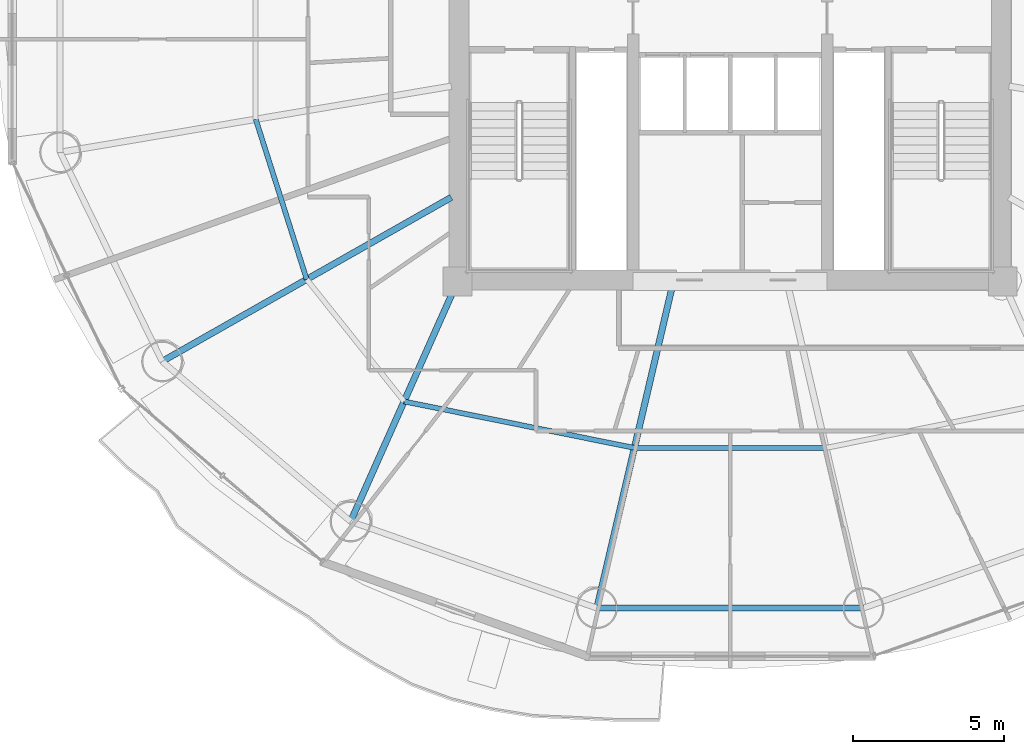
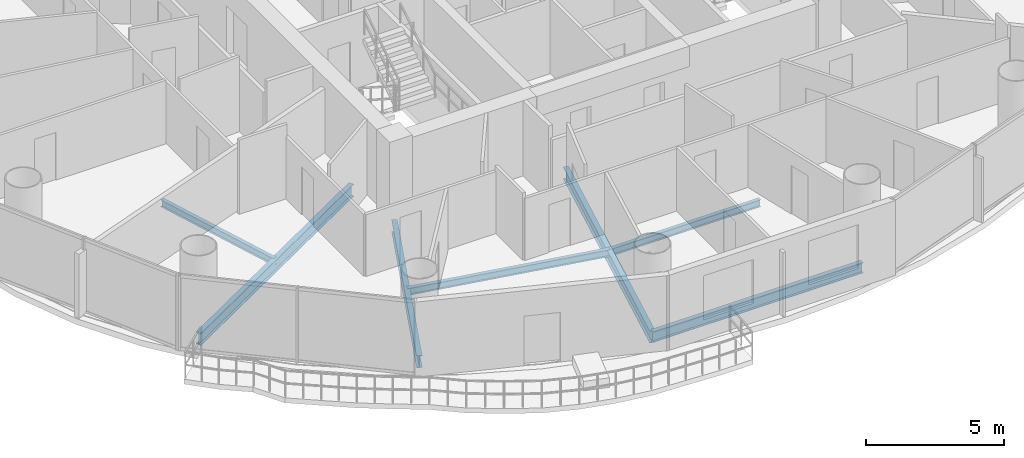
# One storey, part 4 of 27: 7 beams.
"""IFC4 building model written with IfcOpenShell, lengths in metres."""

from ifc_helpers import new_model, si_unit, direction, frame, origin, origin_2d, place, context, subcontext, project, spatial, i_section, extrude, material, material_profile, profile_set, type_object, element, save


model = new_model("IFC4")

# Units and contexts
model_context = context("Model", 3, precision=1e-05, world=origin(), true_north=direction((-0.2419218956, 0.970295726276)))
body_context = subcontext(model_context, "Body", "Model", "MODEL_VIEW")
ifc_project = project(units=[si_unit("LENGTHUNIT", "METRE"), si_unit("AREAUNIT", "SQUARE_METRE"), si_unit("VOLUMEUNIT", "CUBIC_METRE"), si_unit("PLANEANGLEUNIT", "RADIAN"), si_unit("MASSUNIT", "GRAM", prefix="KILO")], contexts=[model_context])

# Site, building, storey
site_placement = place(None, origin())
site = spatial("IfcSite", under=ifc_project, at=site_placement, CompositionType="ELEMENT")
building_placement = place(site_placement, origin())
building = spatial("IfcBuilding", under=site, at=building_placement, Name="Cobrevalo Terracotta Tower", CompositionType="ELEMENT")
storey_placement = place(building_placement, frame((0.0, 0.0, 146.199951171875)))
storey = spatial("IfcBuildingStorey", under=building, at=storey_placement, Name="L38", CompositionType="ELEMENT", Elevation=146.199951171875)

# Beams
ifc_material = material(Name="Steel S355", Category="steel")
ifc_material_profile_1 = material_profile(ifc_material, i_section(OverallWidth=0.2109375, OverallDepth=0.5390625, WebThickness=0.01171875, FlangeThickness=0.018798828125, at=origin_2d()), Name="W 530x109")
ifc_profile_set_1 = profile_set([ifc_material_profile_1], Name="Steel S355")
beam_type_1 = type_object("IfcBeamType", Name="Structural Beam W 530x109 (Steel S355)", PredefinedType="BEAM", material=ifc_profile_set_1)
beam_1_placement = place(storey_placement, frame((19.250244140625, 16.160888671875, -0.53955078125), z_axis=(0.869743726706, 0.493503647257, 0.0), x_axis=(-0.493503647257, 0.869743726706, 0.0)))
element("IfcBeam", 1, at=beam_1_placement, inside=storey, type_object=beam_type_1, Name="L38 radial floor girder 10", PredefinedType="BEAM", context=body_context, shape_type="SweptSolid", body=[
    extrude(i_section(OverallWidth=0.2109375, OverallDepth=0.5390625, WebThickness=0.01171875, FlangeThickness=0.018798828125, at=origin_2d()), origin(), (0.0, 0.0, 1.0), 10.97412109375),
])
beam_2_placement = place(storey_placement, frame((25.471923828125, 10.87744140625, -0.53955078125), z_axis=(0.406804395691, 0.913515289224, 0.0), x_axis=(-0.913515289224, 0.406804395691, 0.0)))
element("IfcBeam", 2, at=beam_2_placement, inside=storey, type_object=beam_type_1, Name="L38 radial floor girder 11", PredefinedType="BEAM", context=body_context, shape_type="SweptSolid", body=[
    extrude(i_section(OverallWidth=0.2109375, OverallDepth=0.5390625, WebThickness=0.01171875, FlangeThickness=0.018798828125, at=origin_2d()), origin(), (0.0, 0.0, 1.0), 8.672607421875),
])
beam_3_placement = place(storey_placement, frame((33.600830078125, 8.01806640625, -0.53955078125), z_axis=(0.228045854186, 0.973650393308, 0.0), x_axis=(-0.973650393308, 0.228045854186, 0.0)))
element("IfcBeam", 3, at=beam_3_placement, inside=storey, type_object=beam_type_1, Name="L38 radial floor girder 12", PredefinedType="BEAM", context=body_context, shape_type="SweptSolid", body=[
    extrude(i_section(OverallWidth=0.2109375, OverallDepth=0.5390625, WebThickness=0.01171875, FlangeThickness=0.018798828125, at=origin_2d()), origin(), (0.0, 0.0, 1.0), 10.863037109375),
])
ifc_material_profile_2 = material_profile(ifc_material, i_section(OverallWidth=0.1650390625, OverallDepth=0.31005859375, WebThickness=0.005859375, FlangeThickness=0.009765625, at=origin_2d()), Name="W 310x38.7")
ifc_profile_set_2 = profile_set([ifc_material_profile_2], Name="Steel S355")
beam_type_2 = type_object("IfcBeamType", Name="Structural Joist W 310x38.7 (Steel S355)", PredefinedType="JOIST", material=ifc_profile_set_2)
beam_4_placement = place(storey_placement, frame((22.339111328125, 24.154541015625, -0.425048828125), z_axis=(0.303497928386, -0.952832098255, 0.0), x_axis=(0.952832098255, 0.303497928386, 0.0)))
element("IfcBeam", 4, at=beam_4_placement, inside=storey, type_object=beam_type_2, Name="L38 circumferential secondary floor joist 09", PredefinedType="JOIST", context=body_context, shape_type="SweptSolid", body=[
    extrude(i_section(OverallWidth=0.1650390625, OverallDepth=0.31005859375, WebThickness=0.005859375, FlangeThickness=0.009765625, at=origin_2d()), origin(), (0.0, 0.0, 1.0), 5.54736328125),
])
beam_5_placement = place(storey_placement, frame((27.23583984375, 14.838623046875, -0.425048828125), z_axis=(0.980293928329, -0.197544461026, 0.0), x_axis=(0.197544461026, 0.980293928329, 0.0)))
element("IfcBeam", 5, at=beam_5_placement, inside=storey, type_object=beam_type_2, Name="L38 circumferential secondary floor joist 11", PredefinedType="JOIST", context=body_context, shape_type="SweptSolid", body=[
    extrude(i_section(OverallWidth=0.1650390625, OverallDepth=0.31005859375, WebThickness=0.005859375, FlangeThickness=0.009765625, at=origin_2d()), origin(), (0.0, 0.0, 1.0), 7.75634765625),
])
beam_6_placement = place(storey_placement, frame((34.83935546875, 13.306396484375, -0.425048828125), z_axis=(1.0, 0.0, 0.0), x_axis=(0.0, 1.0, 0.0)))
element("IfcBeam", 6, at=beam_6_placement, inside=storey, type_object=beam_type_2, Name="L38 circumferential secondary floor joist 12", PredefinedType="JOIST", context=body_context, shape_type="SweptSolid", body=[
    extrude(i_section(OverallWidth=0.1650390625, OverallDepth=0.31005859375, WebThickness=0.005859375, FlangeThickness=0.009765625, at=origin_2d()), origin(), (0.0, 0.0, 1.0), 6.3212890625),
])
ifc_material_profile_3 = material_profile(ifc_material, i_section(OverallWidth=0.194091796875, OverallDepth=0.468994140625, WebThickness=0.011474609375, FlangeThickness=0.0205078125, at=origin_2d()), Name="W 460x106")
ifc_profile_set_3 = profile_set([ifc_material_profile_3], Name="Steel S355")
beam_type_3 = type_object("IfcBeamType", Name="Structural Spandrel W 460x106 (Steel S355)", PredefinedType="SPANDREL", material=ifc_profile_set_3)
beam_7_placement = place(storey_placement, frame((33.600830078125, 8.01806640625, -0.50439453125), z_axis=(1.0, 0.0, 0.0), x_axis=(0.0, 1.0, 0.0)))
element("IfcBeam", 7, at=beam_7_placement, inside=storey, type_object=beam_type_3, Name="L38 perimeter ring spandrel 12", PredefinedType="SPANDREL", context=body_context, shape_type="SweptSolid", body=[
    extrude(i_section(OverallWidth=0.194091796875, OverallDepth=0.468994140625, WebThickness=0.011474609375, FlangeThickness=0.0205078125, at=origin_2d()), origin(), (0.0, 0.0, 1.0), 8.79833984375),
])

save(model, "model.ifc")
